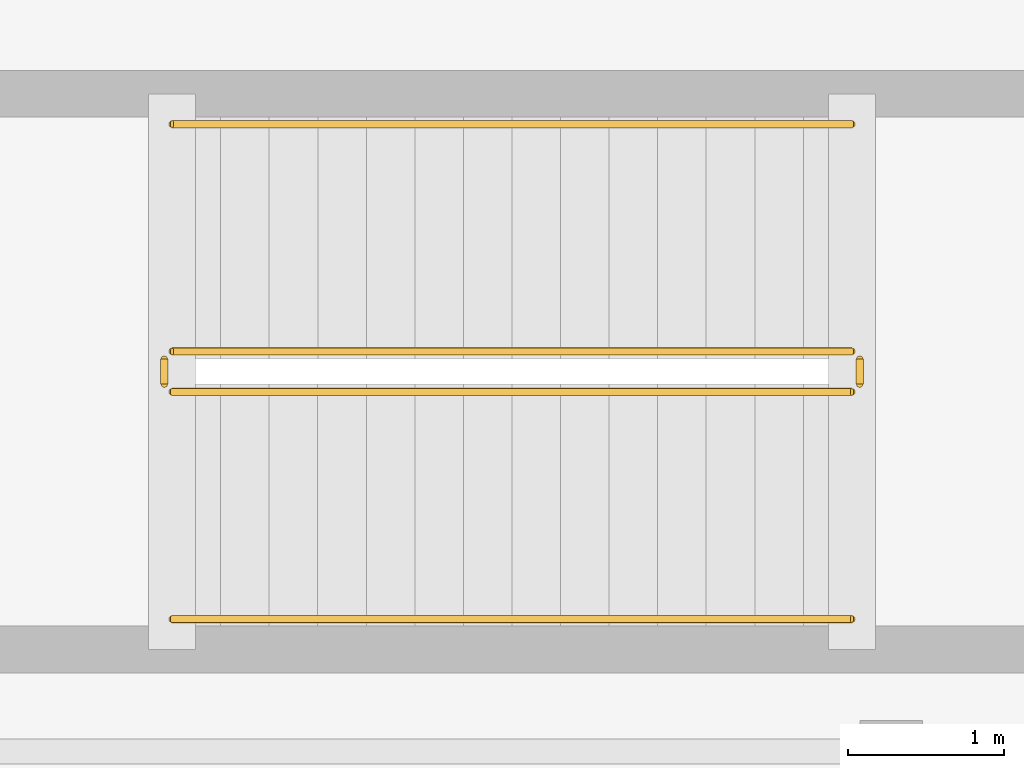
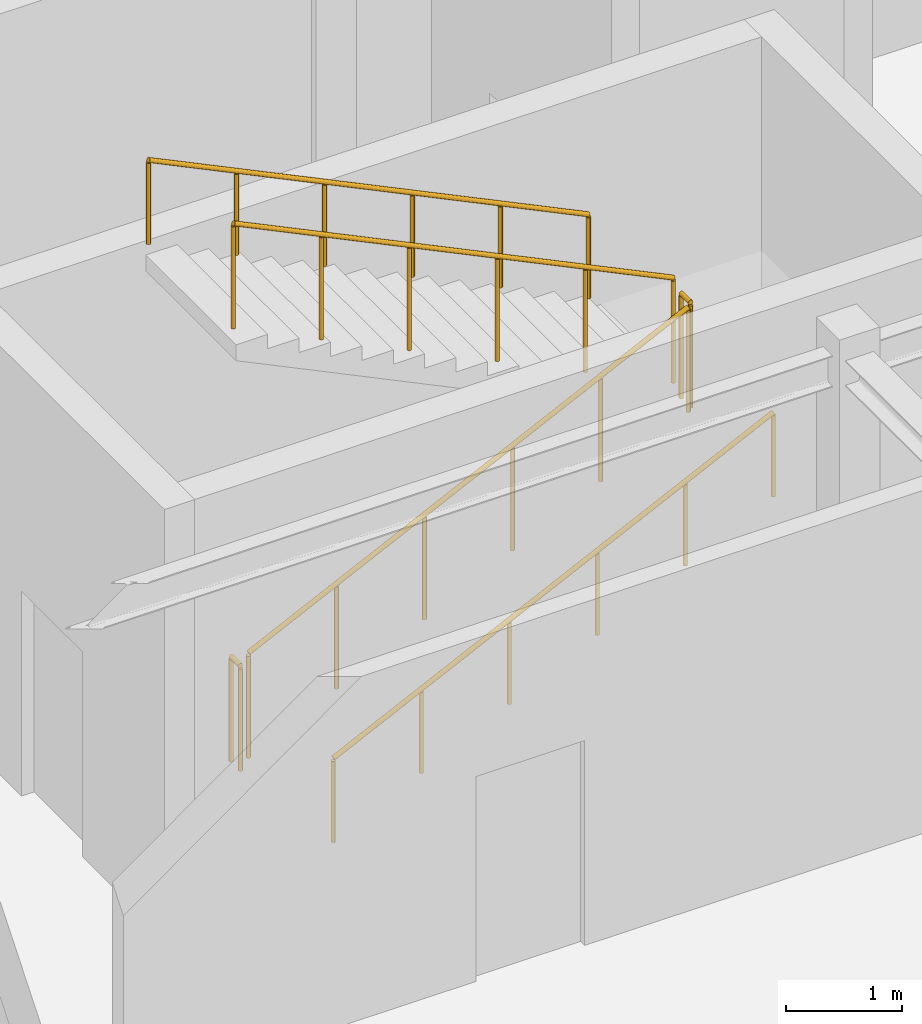
# One storey, part 49 of 61: 6 railings.
"""IFC4 building model written with IfcOpenShell, lengths in metres."""

from ifc_helpers import new_model, si_unit, direction, frame, origin, origin_2d, place, context, subcontext, project, spatial, circle, extrude, material, type_object, element, save


model = new_model("IFC4")

# Units and contexts
model_context = context("Model", 3, precision=1e-05, world=origin(), true_north=direction((0.0, 1.0)))
body_context = subcontext(model_context, "Body", "Model", "MODEL_VIEW")
ifc_project = project(units=[si_unit("LENGTHUNIT", "METRE"), si_unit("AREAUNIT", "SQUARE_METRE"), si_unit("VOLUMEUNIT", "CUBIC_METRE"), si_unit("PLANEANGLEUNIT", "RADIAN"), si_unit("MASSUNIT", "GRAM", prefix="KILO")], contexts=[model_context])

# Site, building, storey
site_placement = place(None, origin())
site = spatial("IfcSite", under=ifc_project, at=site_placement, CompositionType="ELEMENT")
building_placement = place(site_placement, origin())
building = spatial("IfcBuilding", under=site, at=building_placement, Name="Zimvara Arc Housing Community", CompositionType="ELEMENT")
storey_placement = place(building_placement, origin())
storey = spatial("IfcBuildingStorey", under=building, at=storey_placement, Name="L00", CompositionType="ELEMENT", Elevation=0.0)

# Railings
ifc_material_1 = material(Name="Anodised Aluminium AW-6063", Category="aluminium")
railing_type_1 = type_object("IfcRailingType", Name="RLG-BAL-1120", PredefinedType="BALUSTRADE", material=ifc_material_1)
railing_1_placement = place(storey_placement, frame((116.3798828125, 14.909912109375, 0.14990234375)))
element("IfcRailing", 1, at=railing_1_placement, inside=storey, type_object=railing_type_1, Name="L00 ST-N1 stair guard 1", PredefinedType="BALUSTRADE", context=body_context, shape_type="SweptSolid", body=[
    extrude(circle(Radius=0.02392578125, at=origin_2d()), frame((0.0, 0.0, 1.09619140625), z_axis=(0.901250911401, 0.0, 0.433297582152), x_axis=(0.0, 1.0, 0.0)), (0.0, 0.0, 1.0), 4.8466796875),
    extrude(circle(Radius=0.02099609375, at=origin_2d()), origin(), (0.0, 0.0, 1.0), 1.072021484375),
    extrude(circle(Radius=0.02099609375, at=origin_2d()), frame((0.87353515625, 0.0, 0.419921875)), (0.0, 0.0, 1.0), 1.072021484375),
    extrude(circle(Radius=0.02099609375, at=origin_2d()), frame((1.747314453125, 0.0, 0.840087890625)), (0.0, 0.0, 1.0), 1.072021484375),
    extrude(circle(Radius=0.02099609375, at=origin_2d()), frame((2.620849609375, 0.0, 1.260009765625)), (0.0, 0.0, 1.0), 1.072021484375),
    extrude(circle(Radius=0.02099609375, at=origin_2d()), frame((3.49462890625, 0.0, 1.68017578125)), (0.0, 0.0, 1.0), 1.072021484375),
    extrude(circle(Radius=0.02099609375, at=origin_2d()), frame((4.3681640625, 0.0, 2.10009765625)), (0.0, 0.0, 1.0), 1.072021484375),
])
railing_2_placement = place(storey_placement, frame((120.798095703125, 14.9599609375, 2.25)))
element("IfcRailing", 2, at=railing_2_placement, inside=storey, type_object=railing_type_1, Name="L00 ST-N1 stair guard 2", PredefinedType="BALUSTRADE", context=body_context, shape_type="SweptSolid", body=[
    extrude(circle(Radius=0.02392578125, at=origin_2d()), frame((0.0, 0.0, 1.09619140625), z_axis=(0.0, 1.0, 0.0), x_axis=(-1.0, 0.0, 0.0)), (0.0, 0.0, 1.0), 0.16015625),
    extrude(circle(Radius=0.02099609375, at=origin_2d()), origin(), (0.0, 0.0, 1.0), 1.072021484375),
    extrude(circle(Radius=0.02099609375, at=origin_2d()), frame((0.0, 0.16015625, 0.0)), (0.0, 0.0, 1.0), 1.072021484375),
])
railing_3_placement = place(storey_placement, frame((120.748046875, 15.169921875, 2.39990234375)))
element("IfcRailing", 3, at=railing_3_placement, inside=storey, type_object=railing_type_1, Name="L00 ST-N1 stair guard 3", PredefinedType="BALUSTRADE", context=body_context, shape_type="SweptSolid", body=[
    extrude(circle(Radius=0.02392578125, at=origin_2d()), frame((0.0, 0.0, 1.09619140625), z_axis=(-0.901250911401, 0.0, 0.433297582152), x_axis=(0.0, -1.0, 0.0)), (0.0, 0.0, 1.0), 4.8466796875),
    extrude(circle(Radius=0.02099609375, at=origin_2d()), origin(), (0.0, 0.0, 1.0), 1.072021484375),
    extrude(circle(Radius=0.02099609375, at=origin_2d()), frame((-0.87353515625, 0.0, 0.419921875)), (0.0, 0.0, 1.0), 1.072021484375),
    extrude(circle(Radius=0.02099609375, at=origin_2d()), frame((-1.747314453125, 0.0, 0.840087890625)), (0.0, 0.0, 1.0), 1.072021484375),
    extrude(circle(Radius=0.02099609375, at=origin_2d()), frame((-2.620849609375, 0.0, 1.260009765625)), (0.0, 0.0, 1.0), 1.072021484375),
    extrude(circle(Radius=0.02099609375, at=origin_2d()), frame((-3.49462890625, 0.0, 1.68017578125)), (0.0, 0.0, 1.0), 1.072021484375),
    extrude(circle(Radius=0.02099609375, at=origin_2d()), frame((-4.3681640625, 0.0, 2.10009765625)), (0.0, 0.0, 1.0), 1.072021484375),
])
railing_4_placement = place(storey_placement, frame((116.330078125, 14.9599609375, 0.0)))
element("IfcRailing", 4, at=railing_4_placement, inside=storey, type_object=railing_type_1, Name="L00 ST-N1 stair guard 4", PredefinedType="BALUSTRADE", context=body_context, shape_type="SweptSolid", body=[
    extrude(circle(Radius=0.02392578125, at=origin_2d()), frame((0.0, 0.0, 1.09619140625), z_axis=(0.0, 1.0, 0.0), x_axis=(-1.0, 0.0, 0.0)), (0.0, 0.0, 1.0), 0.16015625),
    extrude(circle(Radius=0.02099609375, at=origin_2d()), origin(), (0.0, 0.0, 1.0), 1.072021484375),
    extrude(circle(Radius=0.02099609375, at=origin_2d()), frame((0.0, 0.16015625, 0.0)), (0.0, 0.0, 1.0), 1.072021484375),
])
ifc_material_2 = material(Name="Anodised Aluminium AW-6063", Category="aluminium")
railing_type_2 = type_object("IfcRailingType", Name="RLG-HND-900", PredefinedType="HANDRAIL", material=ifc_material_2)
railing_5_placement = place(storey_placement, frame((116.3798828125, 13.449951171875, 0.14990234375)))
element("IfcRailing", 5, at=railing_5_placement, inside=storey, type_object=railing_type_2, Name="L00 ST-N1 stair handrail 1", PredefinedType="HANDRAIL", context=body_context, shape_type="SweptSolid", body=[
    extrude(circle(Radius=0.02392578125, at=origin_2d()), frame((0.0, 0.0, 0.8759765625), z_axis=(0.901250911401, 0.0, 0.433297582152), x_axis=(0.0, 1.0, 0.0)), (0.0, 0.0, 1.0), 4.8466796875),
    extrude(circle(Radius=0.02099609375, at=origin_2d()), origin(), (0.0, 0.0, 1.0), 0.851806640625),
    extrude(circle(Radius=0.02099609375, at=origin_2d()), frame((0.87353515625, 0.0, 0.419921875)), (0.0, 0.0, 1.0), 0.851806640625),
    extrude(circle(Radius=0.02099609375, at=origin_2d()), frame((1.747314453125, 0.0, 0.840087890625)), (0.0, 0.0, 1.0), 0.851806640625),
    extrude(circle(Radius=0.02099609375, at=origin_2d()), frame((2.620849609375, 0.0, 1.260009765625)), (0.0, 0.0, 1.0), 0.851806640625),
    extrude(circle(Radius=0.02099609375, at=origin_2d()), frame((3.49462890625, 0.0, 1.68017578125)), (0.0, 0.0, 1.0), 0.851806640625),
    extrude(circle(Radius=0.02099609375, at=origin_2d()), frame((4.3681640625, 0.0, 2.10009765625)), (0.0, 0.0, 1.0), 0.851806640625),
])
railing_6_placement = place(storey_placement, frame((120.748046875, 16.6298828125, 2.39990234375)))
element("IfcRailing", 6, at=railing_6_placement, inside=storey, type_object=railing_type_2, Name="L00 ST-N1 stair handrail 2", PredefinedType="HANDRAIL", context=body_context, shape_type="SweptSolid", body=[
    extrude(circle(Radius=0.02392578125, at=origin_2d()), frame((0.0, 0.0, 0.8759765625), z_axis=(-0.901250911401, 0.0, 0.433297582152), x_axis=(0.0, -1.0, 0.0)), (0.0, 0.0, 1.0), 4.8466796875),
    extrude(circle(Radius=0.02099609375, at=origin_2d()), origin(), (0.0, 0.0, 1.0), 0.851806640625),
    extrude(circle(Radius=0.02099609375, at=origin_2d()), frame((-0.87353515625, 0.0, 0.419921875)), (0.0, 0.0, 1.0), 0.851806640625),
    extrude(circle(Radius=0.02099609375, at=origin_2d()), frame((-1.747314453125, 0.0, 0.840087890625)), (0.0, 0.0, 1.0), 0.851806640625),
    extrude(circle(Radius=0.02099609375, at=origin_2d()), frame((-2.620849609375, 0.0, 1.260009765625)), (0.0, 0.0, 1.0), 0.851806640625),
    extrude(circle(Radius=0.02099609375, at=origin_2d()), frame((-3.49462890625, 0.0, 1.68017578125)), (0.0, 0.0, 1.0), 0.851806640625),
    extrude(circle(Radius=0.02099609375, at=origin_2d()), frame((-4.3681640625, 0.0, 2.10009765625)), (0.0, 0.0, 1.0), 0.851806640625),
])

save(model, "model.ifc")
